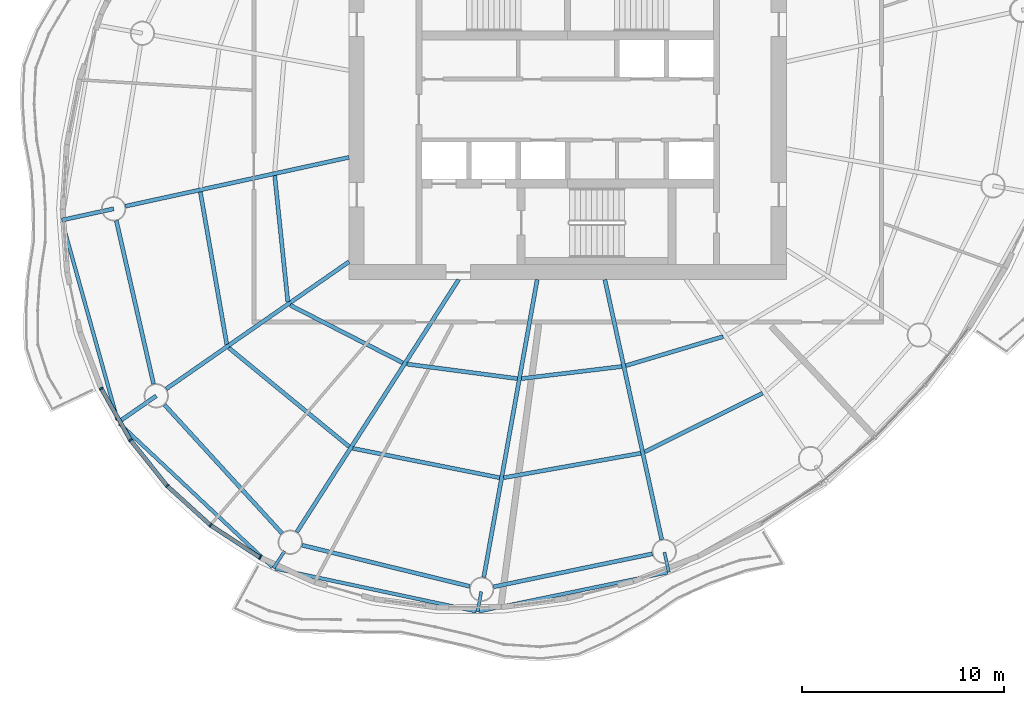
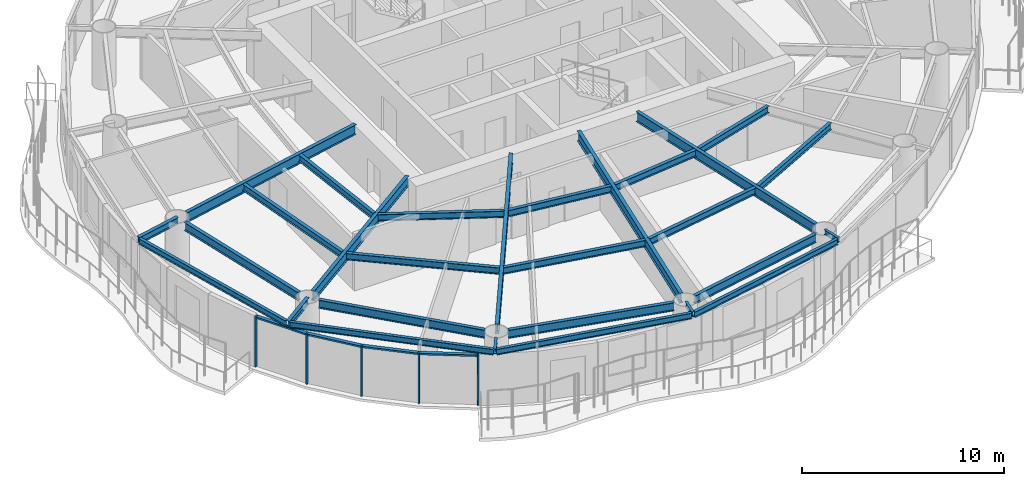
# One storey, part 2 of 14: 28 beams, 9 members, 4 elements without a shape of their own.
"""IFC4 building model written with IfcOpenShell, lengths in metres."""

import ifcopenshell
import ifcopenshell.guid

model = None  # the IFC model being written
_history = None  # IfcOwnerHistory: only IFC2X3 demands one
_inside = {}  # id of a spatial element -> (the spatial element, [elements in it])
_under = {}  # id of a project, library or spatial element -> (it, [spatial elements below it])
_declared = {}  # id of a project -> (the project, [libraries it declares])
_typed = {}  # id of a type object -> (the type object, [elements of that type])
_made_of = {}  # id of a material, layer set ... -> (it, [elements and type objects made of it])


def new_model(schema):
    """Start an empty IFC model of exactly this schema.

    Asked for "IFC4X3", IfcOpenShell would pick the latest addendum, in which some entities
    have other attributes; the version numbers below select the first issue.
    IFC2X3 requires an IfcOwnerHistory on every rooted entity: one is made here for all.
    """
    global model, _history
    if schema == "IFC4X3":
        model = ifcopenshell.file(schema_version=(4, 3, 0, 0))
    else:
        model = ifcopenshell.file(schema=schema)
    _inside.clear()
    _under.clear()
    _declared.clear()
    _typed.clear()
    _made_of.clear()
    _history = None
    if model.schema == "IFC2X3":
        org = make("IfcOrganization", Name="unknown")
        user = make(
            "IfcPersonAndOrganization",
            ThePerson=make("IfcPerson", FamilyName="unknown"),
            TheOrganization=org,
        )
        app = make(
            "IfcApplication",
            ApplicationDeveloper=org,
            Version="unknown",
            ApplicationFullName="unknown",
            ApplicationIdentifier="unknown",
        )
        _history = make(
            "IfcOwnerHistory",
            OwningUser=user,
            OwningApplication=app,
            ChangeAction="ADDED",
            CreationDate=0,
        )
    return model


def make(cls, **values):
    """One entity of the class cls with the attributes given. An attribute that is None is left unset."""
    return model.create_entity(
        cls, **{name: value for name, value in values.items() if value is not None}
    )


def rooted(cls, **values):
    """An entity with a GlobalId (a new one), such as an element, a storey or a relation."""
    return make(cls, GlobalId=ifcopenshell.guid.new(), OwnerHistory=_history, **values)


def si_unit(unit_type, name, prefix=None):
    """IfcSIUnit, for example si_unit("LENGTHUNIT", "METRE", prefix="MILLI")."""
    return make("IfcSIUnit", UnitType=unit_type, Prefix=prefix, Name=name)


def assignment(units):
    """IfcUnitAssignment: the units of a project."""
    return None if units is None else make("IfcUnitAssignment", Units=units)


def point(xyz):
    """IfcCartesianPoint."""
    return None if xyz is None else make("IfcCartesianPoint", Coordinates=xyz)


def direction(xyz):
    """IfcDirection."""
    return None if xyz is None else make("IfcDirection", DirectionRatios=xyz)


def frame(location, z_axis=None, x_axis=None):
    """IfcAxis2Placement3D, a coordinate frame: its origin and axes. An axis left out is left unset."""
    return make(
        "IfcAxis2Placement3D",
        Location=point(location),
        Axis=direction(z_axis),
        RefDirection=direction(x_axis),
    )


def frame_2d(location, x_axis=None):
    """IfcAxis2Placement2D, a coordinate frame in the plane: its origin and x axis."""
    return make(
        "IfcAxis2Placement2D", Location=point(location), RefDirection=direction(x_axis)
    )


def origin():
    """The frame at (0, 0, 0) with its axes left unset."""
    return frame((0.0, 0.0, 0.0))


def origin_2d():
    """The frame at (0, 0) in the plane with its x axis left unset."""
    return frame_2d((0.0, 0.0))


def place(relative_to, where):
    """IfcLocalPlacement: puts the frame where relative to a parent placement (None: the world)."""
    return make(
        "IfcLocalPlacement", PlacementRelTo=relative_to, RelativePlacement=where
    )


def context(
    kind, dimensions, precision=None, world=None, true_north=None, identifier=None
):
    """IfcGeometricRepresentationContext, for example the 3D "Model" context."""
    return make(
        "IfcGeometricRepresentationContext",
        ContextIdentifier=identifier,
        ContextType=kind,
        CoordinateSpaceDimension=dimensions,
        Precision=precision,
        WorldCoordinateSystem=world,
        TrueNorth=true_north,
    )


def subcontext(parent, identifier, kind, view, scale=None):
    """IfcGeometricRepresentationSubContext, for example "Body" below "Model"."""
    return make(
        "IfcGeometricRepresentationSubContext",
        ContextIdentifier=identifier,
        ContextType=kind,
        ParentContext=parent,
        TargetScale=scale,
        TargetView=view,
    )


def project(units=None, contexts=None):
    """IfcProject with its units and contexts."""
    return rooted(
        "IfcProject",
        Name="project",
        RepresentationContexts=contexts,
        UnitsInContext=assignment(units),
    )


def spatial(cls, under=None, at=None, **own):
    """A site, building, storey or space (cls), placed at a placement, below another one or the project."""
    s = rooted(cls, ObjectPlacement=at, **own)
    if under is not None:
        _under.setdefault(under.id(), (under, []))[1].append(s)
    return s


def profile(cls, at=None, kind="AREA", **sizes):
    """A parametric profile (cls). Its sizes go by their IFC names, for example OverallWidth=200.0."""
    return make(cls, ProfileType=kind, Position=at, **sizes)


def rectangle(**sizes):
    """IfcRectangleProfileDef."""
    return profile("IfcRectangleProfileDef", **sizes)


def i_section(**sizes):
    """IfcIShapeProfileDef."""
    return profile("IfcIShapeProfileDef", **sizes)


def extrude(swept, where, along, depth):
    """IfcExtrudedAreaSolid: the profile swept, set in the frame where, extruded along a direction by depth."""
    return make(
        "IfcExtrudedAreaSolid",
        SweptArea=swept,
        Position=where,
        ExtrudedDirection=direction(along),
        Depth=depth,
    )


def shape(context_of_items, identifier, shape_type, items):
    """IfcShapeRepresentation: the items that make up one representation, for example the "Body"."""
    return make(
        "IfcShapeRepresentation",
        ContextOfItems=context_of_items,
        RepresentationIdentifier=identifier,
        RepresentationType=shape_type,
        Items=items,
    )


def material(Name=None, Category=None):
    """IfcMaterial."""
    return make("IfcMaterial", Name=Name, Category=Category)


def material_profile(
    of_material, cross_section, Name=None, Category=None, Priority=None
):
    """IfcMaterialProfile: a cross section and its material."""
    return make(
        "IfcMaterialProfile",
        Name=Name,
        Material=of_material,
        Profile=cross_section,
        Priority=Priority,
        Category=Category,
    )


def profile_set(profiles, Name=None, composite=None):
    """IfcMaterialProfileSet."""
    return make(
        "IfcMaterialProfileSet",
        Name=Name,
        MaterialProfiles=profiles,
        CompositeProfile=composite,
    )


def made_of(thing, what):
    """Note that an element or type object is made of a material, layer set ...; save() writes the relation."""
    if what is not None:
        _made_of.setdefault(what.id(), (what, []))[1].append(thing)
    return thing


def type_object(cls, material=None, **own):
    """A type object (cls), such as IfcWallType, which elements share."""
    return made_of(rooted(cls, **own), material)


def element(
    cls,
    number,
    at=None,
    inside=None,
    cuts=None,
    type_object=None,
    material=None,
    context=None,
    identifier="Body",
    shape_type=None,
    held_by="IfcProductDefinitionShape",
    body=None,
    shapes=None,
    **own,
):
    """One element of the class cls, such as IfcWall. Its Tag is "e" and its number.

    at: its placement. inside: the storey or other place that contains it. cuts: it is an
    opening in that element (IfcRelVoidsElement). A single representation is given by context,
    identifier, shape_type and body (its items); several are given by shapes. held_by: the class
    of the entity that holds the representations. save() writes the other relations.
    """
    e = rooted(cls, Tag="e%d" % number, ObjectPlacement=at, **own)
    if body is not None:
        shapes = [shape(context, identifier, shape_type, body)]
    if shapes is not None:
        e.Representation = make(held_by, Representations=shapes)
    if inside is not None:
        _inside.setdefault(inside.id(), (inside, []))[1].append(e)
    if cuts is not None:
        rooted(
            "IfcRelVoidsElement", RelatingBuildingElement=cuts, RelatedOpeningElement=e
        )
    if type_object is not None:
        _typed.setdefault(type_object.id(), (type_object, []))[1].append(e)
    return made_of(e, material)


def aggregate(whole, parts):
    """IfcRelAggregates: a whole, such as a stair, and the parts it consists of."""
    return rooted("IfcRelAggregates", RelatingObject=whole, RelatedObjects=parts)


def save(model, path):
    """Write the relations noted so far, then the file.

    IfcRelAggregates (storeys below a building ...), IfcRelContainedInSpatialStructure (elements
    in a storey), IfcRelDefinesByType, IfcRelAssociatesMaterial and IfcRelDeclares: one each for
    every whole, place, type object, material and project.
    """
    for whole, parts in _under.values():
        aggregate(whole, parts)
    for where, things in _inside.values():
        rooted(
            "IfcRelContainedInSpatialStructure",
            RelatedElements=things,
            RelatingStructure=where,
        )
    for kind, things in _typed.values():
        rooted("IfcRelDefinesByType", RelatedObjects=things, RelatingType=kind)
    for what, things in _made_of.values():
        rooted("IfcRelAssociatesMaterial", RelatedObjects=things, RelatingMaterial=what)
    for by, libraries in _declared.values():
        rooted("IfcRelDeclares", RelatingContext=by, RelatedDefinitions=libraries)
    model.write(path)


model = new_model("IFC4")

# Units and contexts
model_context = context("Model", 3, precision=1e-05, world=origin(), true_north=direction((0.0, 1.0)))
body_context = subcontext(model_context, "Body", "Model", "MODEL_VIEW")
ifc_project = project(units=[si_unit("LENGTHUNIT", "METRE"), si_unit("AREAUNIT", "SQUARE_METRE"), si_unit("VOLUMEUNIT", "CUBIC_METRE"), si_unit("PLANEANGLEUNIT", "RADIAN"), si_unit("MASSUNIT", "GRAM", prefix="KILO")], contexts=[model_context])

# Site, building, storey
site_placement = place(None, origin())
site = spatial("IfcSite", under=ifc_project, at=site_placement, CompositionType="ELEMENT")
building_placement = place(site_placement, origin())
building = spatial("IfcBuilding", under=site, at=building_placement, Name="Vermilion Reach Broadcast Tower", CompositionType="ELEMENT")
storey_placement = place(building_placement, frame((0.0, 0.0, 206.5)))
storey = spatial("IfcBuildingStorey", under=building, at=storey_placement, Name="L50", CompositionType="ELEMENT", Elevation=206.5)

# Beams
ifc_material_1 = material(Name="Steel S355J2", Category="steel")
ifc_material_profile_1 = material_profile(ifc_material_1, i_section(OverallWidth=0.175048828125, OverallDepth=0.35009765625, WebThickness=0.007080078125, FlangeThickness=0.010986328125, at=origin_2d()), Name="S355J2 HN 350x175x7x11")
ifc_profile_set_1 = profile_set([ifc_material_profile_1], Name="Steel S355J2")
beam_type_1 = type_object("IfcBeamType", Name="EB4 HN 350x175x7x11", PredefinedType="BEAM", material=ifc_profile_set_1)
beam_1_placement = place(storey_placement, frame((-30.956298828125, -5.557373046875, 3.27490234375), z_axis=(0.268660015455, -0.963235067933, 0.0), x_axis=(0.963235067933, 0.268660015455, 0.0)))
element("IfcBeam", 1, at=beam_1_placement, inside=storey, type_object=beam_type_1, Name="Edge beam EB4-07", PredefinedType="BEAM", context=body_context, shape_type="SweptSolid", body=[
    extrude(i_section(OverallWidth=0.175048828125, OverallDepth=0.35009765625, WebThickness=0.007080078125, FlangeThickness=0.010986328125, at=origin_2d()), origin(), (0.0, 0.0, 1.0), 10.15966796875),
])
beam_2_placement = place(storey_placement, frame((-28.123779296875, -15.515380859375, 3.27490234375), z_axis=(0.728971149801, -0.684544419857, 0.0), x_axis=(0.684544419857, 0.728971149801, 0.0)))
element("IfcBeam", 2, at=beam_2_placement, inside=storey, type_object=beam_type_1, Name="Edge beam EB4-08", PredefinedType="BEAM", context=body_context, shape_type="SweptSolid", body=[
    extrude(i_section(OverallWidth=0.175048828125, OverallDepth=0.35009765625, WebThickness=0.007080078125, FlangeThickness=0.010986328125, at=origin_2d()), origin(), (0.0, 0.0, 1.0), 10.34765625),
])
beam_3_placement = place(storey_placement, frame((-20.446533203125, -22.667724609375, 3.27490234375), z_axis=(0.978079350634, -0.208232523547, 0.0), x_axis=(0.208232523547, 0.978079350634, 0.0)))
element("IfcBeam", 3, at=beam_3_placement, inside=storey, type_object=beam_type_1, Name="Edge beam EB4-09", PredefinedType="BEAM", context=body_context, shape_type="SweptSolid", body=[
    extrude(i_section(OverallWidth=0.175048828125, OverallDepth=0.35009765625, WebThickness=0.007080078125, FlangeThickness=0.010986328125, at=origin_2d()), origin(), (0.0, 0.0, 1.0), 10.1474609375),
])
beam_4_placement = place(storey_placement, frame((-10.369140625, -24.780029296875, 3.27490234375), z_axis=(0.979291047752, 0.202457511081, 0.0), x_axis=(-0.202457511081, 0.979291047752, 0.0)))
element("IfcBeam", 4, at=beam_4_placement, inside=storey, type_object=beam_type_1, Name="Edge beam EB4-10", PredefinedType="BEAM", context=body_context, shape_type="SweptSolid", body=[
    extrude(i_section(OverallWidth=0.175048828125, OverallDepth=0.35009765625, WebThickness=0.007080078125, FlangeThickness=0.010986328125, at=origin_2d()), origin(), (0.0, 0.0, 1.0), 9.485595703125),
])
ifc_material_2 = material(Name="Steel S355J2", Category="steel")
ifc_material_profile_2 = material_profile(ifc_material_2, i_section(OverallWidth=0.199951171875, OverallDepth=0.60009765625, WebThickness=0.010986328125, FlangeThickness=0.01708984375, at=origin_2d()), Name="S355J2 HN 600x200x11x17")
ifc_profile_set_2 = profile_set([ifc_material_profile_2], Name="Steel S355J2")
beam_type_2 = type_object("IfcBeamType", Name="G4 HN 600x200x11x17", PredefinedType="BEAM", material=ifc_profile_set_2)
beam_5_placement = place(storey_placement, frame((-16.800048828125, -2.360595703125, 3.14990234375), z_axis=(-0.976930175286, -0.213558967537, 0.0), x_axis=(0.213558967537, -0.976930175286, 0.0)))
element("IfcBeam", 5, at=beam_5_placement, inside=storey, type_object=beam_type_2, Name="Girder G4-07", PredefinedType="BEAM", context=body_context, shape_type="SweptSolid", body=[
    extrude(i_section(OverallWidth=0.199951171875, OverallDepth=0.60009765625, WebThickness=0.010986328125, FlangeThickness=0.01708984375, at=origin_2d()), origin(), (0.0, 0.0, 1.0), 11.29833984375),
])
beam_6_placement = place(storey_placement, frame((-16.800048828125, -7.5146484375, 3.14990234375), z_axis=(-0.820848627818, -0.571145804684, 0.0), x_axis=(0.571145804684, -0.820848627818, 0.0)))
element("IfcBeam", 6, at=beam_6_placement, inside=storey, type_object=beam_type_2, Name="Girder G4-08", PredefinedType="BEAM", context=body_context, shape_type="SweptSolid", body=[
    extrude(i_section(OverallWidth=0.199951171875, OverallDepth=0.60009765625, WebThickness=0.010986328125, FlangeThickness=0.01708984375, at=origin_2d()), origin(), (0.0, 0.0, 1.0), 10.99560546875),
])
beam_7_placement = place(storey_placement, frame((-11.386474609375, -8.39990234375, 3.14990234375), z_axis=(-0.539796447586, -0.84179557802, 0.0), x_axis=(0.84179557802, -0.539796447586, 0.0)))
element("IfcBeam", 7, at=beam_7_placement, inside=storey, type_object=beam_type_2, Name="Girder G4-09", PredefinedType="BEAM", context=body_context, shape_type="SweptSolid", body=[
    extrude(i_section(OverallWidth=0.199951171875, OverallDepth=0.60009765625, WebThickness=0.010986328125, FlangeThickness=0.01708984375, at=origin_2d()), origin(), (0.0, 0.0, 1.0), 14.8076171875),
])
beam_8_placement = place(storey_placement, frame((-7.5068359375, -8.39990234375, 3.14990234375), z_axis=(-0.176574729047, -0.984287237072, 0.0), x_axis=(0.984287237072, -0.176574729047, 0.0)))
element("IfcBeam", 8, at=beam_8_placement, inside=storey, type_object=beam_type_2, Name="Girder G4-10", PredefinedType="BEAM", context=body_context, shape_type="SweptSolid", body=[
    extrude(i_section(OverallWidth=0.199951171875, OverallDepth=0.60009765625, WebThickness=0.010986328125, FlangeThickness=0.01708984375, at=origin_2d()), origin(), (0.0, 0.0, 1.0), 14.935302734375),
])
beam_9_placement = place(storey_placement, frame((-4.163818359375, -8.39990234375, 3.14990234375), z_axis=(0.213538346548, -0.976934682849, 0.0), x_axis=(0.976934682849, 0.213538346548, 0.0)))
element("IfcBeam", 9, at=beam_9_placement, inside=storey, type_object=beam_type_2, Name="Girder G4-11", PredefinedType="BEAM", context=body_context, shape_type="SweptSolid", body=[
    extrude(i_section(OverallWidth=0.199951171875, OverallDepth=0.60009765625, WebThickness=0.010986328125, FlangeThickness=0.01708984375, at=origin_2d()), origin(), (0.0, 0.0, 1.0), 13.135498046875),
])
ifc_material_3 = material(Name="Steel S355J2", Category="steel")
ifc_material_profile_3 = material_profile(ifc_material_3, i_section(OverallWidth=0.199951171875, OverallDepth=0.39990234375, WebThickness=0.008056640625, FlangeThickness=0.012939453125, at=origin_2d()), Name="S355J2 HN 400x200x8x13")
ifc_profile_set_3 = profile_set([ifc_material_profile_3], Name="Steel S355J2")
beam_type_3 = type_object("IfcBeamType", Name="GC4 HN 400x200x8x13", PredefinedType="BEAM", material=ifc_profile_set_3)
beam_10_placement = place(storey_placement, frame((-28.423828125, -4.9013671875, 3.25), z_axis=(-0.976926757416, -0.21357460206, 0.0), x_axis=(0.21357460206, -0.976926757416, 0.0)))
element("IfcBeam", 10, at=beam_10_placement, inside=storey, type_object=beam_type_3, Name="Cantilever girder GC4-07", PredefinedType="BEAM", context=body_context, shape_type="SweptSolid", body=[
    extrude(i_section(OverallWidth=0.199951171875, OverallDepth=0.39990234375, WebThickness=0.008056640625, FlangeThickness=0.012939453125, at=origin_2d()), origin(), (0.0, 0.0, 1.0), 2.6201171875),
])
beam_11_placement = place(storey_placement, frame((-26.318115234375, -14.13720703125, 3.25), z_axis=(-0.820816121496, -0.571192519815, 0.0), x_axis=(0.571192519815, -0.820816121496, 0.0)))
element("IfcBeam", 11, at=beam_11_placement, inside=storey, type_object=beam_type_3, Name="Cantilever girder GC4-08", PredefinedType="BEAM", context=body_context, shape_type="SweptSolid", body=[
    extrude(i_section(OverallWidth=0.199951171875, OverallDepth=0.39990234375, WebThickness=0.008056640625, FlangeThickness=0.012939453125, at=origin_2d()), origin(), (0.0, 0.0, 1.0), 2.29052734375),
])
ifc_material_4 = material(Name="Steel S355J2", Category="steel")
ifc_material_profile_4 = material_profile(ifc_material_4, i_section(OverallWidth=0.14990234375, OverallDepth=0.300048828125, WebThickness=0.006591796875, FlangeThickness=0.009033203125, at=origin_2d()), Name="S355J2 HN 300x150x6.5x9")
ifc_profile_set_4 = profile_set([ifc_material_profile_4], Name="Steel S355J2")
beam_type_4 = type_object("IfcBeamType", Name="GS4 HN 300x150x6.5x9", PredefinedType="BEAM", material=ifc_profile_set_4)
beam_12_placement = place(storey_placement, frame((-19.985107421875, -21.80908203125, 3.300048828125), z_axis=(-0.539794777091, -0.841796649213, 0.0), x_axis=(0.841796649213, -0.539794777091, 0.0)))
element("IfcBeam", 12, at=beam_12_placement, inside=storey, type_object=beam_type_4, Name="Cantilever stub GS4-09", PredefinedType="BEAM", context=body_context, shape_type="SweptSolid", body=[
    extrude(i_section(OverallWidth=0.14990234375, OverallDepth=0.300048828125, WebThickness=0.006591796875, FlangeThickness=0.009033203125, at=origin_2d()), origin(), (0.0, 0.0, 1.0), 1.0),
])
beam_13_placement = place(storey_placement, frame((-10.271728515625, -23.812255859375, 3.300048828125), z_axis=(-0.176542748677, -0.984292973606, 0.0), x_axis=(0.984292973606, -0.176542748677, 0.0)))
element("IfcBeam", 13, at=beam_13_placement, inside=storey, type_object=beam_type_4, Name="Cantilever stub GS4-10", PredefinedType="BEAM", context=body_context, shape_type="SweptSolid", body=[
    extrude(i_section(OverallWidth=0.14990234375, OverallDepth=0.300048828125, WebThickness=0.006591796875, FlangeThickness=0.009033203125, at=origin_2d()), origin(), (0.0, 0.0, 1.0), 0.999755859375),
])
beam_14_placement = place(storey_placement, frame((-1.22021484375, -21.867431640625, 3.300048828125), z_axis=(0.213594957215, -0.976922307173, 0.0), x_axis=(0.976922307173, 0.213594957215, 0.0)))
element("IfcBeam", 14, at=beam_14_placement, inside=storey, type_object=beam_type_4, Name="Cantilever stub GS4-11", PredefinedType="BEAM", context=body_context, shape_type="SweptSolid", body=[
    extrude(i_section(OverallWidth=0.14990234375, OverallDepth=0.300048828125, WebThickness=0.006591796875, FlangeThickness=0.009033203125, at=origin_2d()), origin(), (0.0, 0.0, 1.0), 1.000244140625),
])
ifc_material_5 = material(Name="Steel S355J2", Category="steel")
ifc_material_profile_5 = material_profile(ifc_material_5, i_section(OverallWidth=0.199951171875, OverallDepth=0.5, WebThickness=0.010009765625, FlangeThickness=0.01611328125, at=origin_2d()), Name="S355J2 HN 500x200x10x16")
ifc_profile_set_5 = profile_set([ifc_material_profile_5], Name="Steel S355J2")
beam_type_5 = type_object("IfcBeamType", Name="RB4 HN 500x200x10x16", PredefinedType="BEAM", material=ifc_profile_set_5)
beam_15_placement = place(storey_placement, frame((-28.290283203125, -5.486572265625, 3.199951171875), z_axis=(0.222283068275, -0.974982172944, 0.0), x_axis=(0.974982172944, 0.222283068275, 0.0)))
element("IfcBeam", 15, at=beam_15_placement, inside=storey, type_object=beam_type_5, Name="Ring beam RB4-07", PredefinedType="BEAM", context=body_context, shape_type="SweptSolid", body=[
    extrude(i_section(OverallWidth=0.199951171875, OverallDepth=0.5, WebThickness=0.010009765625, FlangeThickness=0.01611328125, at=origin_2d()), origin(), (0.0, 0.0, 1.0), 8.272705078125),
])
beam_16_placement = place(storey_placement, frame((-25.9130859375, -14.580078125, 3.199951171875), z_axis=(0.674868141417, -0.737938338684, 0.0), x_axis=(0.737938338684, 0.674868141417, 0.0)))
element("IfcBeam", 16, at=beam_16_placement, inside=storey, type_object=beam_type_5, Name="Ring beam RB4-08", PredefinedType="BEAM", context=body_context, shape_type="SweptSolid", body=[
    extrude(i_section(OverallWidth=0.199951171875, OverallDepth=0.5, WebThickness=0.010009765625, FlangeThickness=0.01611328125, at=origin_2d()), origin(), (0.0, 0.0, 1.0), 8.601318359375),
])
beam_17_placement = place(storey_placement, frame((-19.120849609375, -21.51318359375, 3.199951171875), z_axis=(0.971158622271, -0.238434331398, 0.0), x_axis=(0.238434331398, 0.971158622271, 0.0)))
element("IfcBeam", 17, at=beam_17_placement, inside=storey, type_object=beam_type_5, Name="Ring beam RB4-09", PredefinedType="BEAM", context=body_context, shape_type="SweptSolid", body=[
    extrude(i_section(OverallWidth=0.199951171875, OverallDepth=0.5, WebThickness=0.010009765625, FlangeThickness=0.01611328125, at=origin_2d()), origin(), (0.0, 0.0, 1.0), 8.534423828125),
])
beam_18_placement = place(storey_placement, frame((-9.662353515625, -23.569091796875, 3.199951171875), z_axis=(0.97912342484, 0.203266620302, 0.0), x_axis=(-0.203266620302, 0.97912342484, 0.0)))
element("IfcBeam", 18, at=beam_18_placement, inside=storey, type_object=beam_type_5, Name="Ring beam RB4-10", PredefinedType="BEAM", context=body_context, shape_type="SweptSolid", body=[
    extrude(i_section(OverallWidth=0.199951171875, OverallDepth=0.5, WebThickness=0.010009765625, FlangeThickness=0.01611328125, at=origin_2d()), origin(), (0.0, 0.0, 1.0), 8.01123046875),
])
ifc_material_6 = material(Name="Steel S355J2", Category="steel")
ifc_material_profile_6 = material_profile(ifc_material_6, i_section(OverallWidth=0.199951171875, OverallDepth=0.39990234375, WebThickness=0.008056640625, FlangeThickness=0.012939453125, at=origin_2d()), Name="S355J2 HN 400x200x8x13")
ifc_profile_set_6 = profile_set([ifc_material_profile_6], Name="Steel S355J2")
beam_type_6 = type_object("IfcBeamType", Name="SB4 HN 400x200x8x13", PredefinedType="BEAM", material=ifc_profile_set_6)
beam_19_placement = place(storey_placement, frame((-20.46875, -3.264892578125, 3.25), z_axis=(0.103532173355, -0.994626105167, 0.0), x_axis=(0.994626105167, 0.103532173355, 0.0)))
element("IfcBeam", 19, at=beam_19_placement, inside=storey, type_object=beam_type_6, Name="Secondary beam SB4-07-1", PredefinedType="BEAM", context=body_context, shape_type="SweptSolid", body=[
    extrude(i_section(OverallWidth=0.199951171875, OverallDepth=0.39990234375, WebThickness=0.008056640625, FlangeThickness=0.012939453125, at=origin_2d()), origin(), (0.0, 0.0, 1.0), 6.26318359375),
])
beam_20_placement = place(storey_placement, frame((-24.141357421875, -4.067626953125, 3.25), z_axis=(0.170926997669, -0.985283695931, 0.0), x_axis=(0.985283695931, 0.170926997669, 0.0)))
element("IfcBeam", 20, at=beam_20_placement, inside=storey, type_object=beam_type_6, Name="Secondary beam SB4-07-2", PredefinedType="BEAM", context=body_context, shape_type="SweptSolid", body=[
    extrude(i_section(OverallWidth=0.199951171875, OverallDepth=0.39990234375, WebThickness=0.008056640625, FlangeThickness=0.012939453125, at=origin_2d()), origin(), (0.0, 0.0, 1.0), 7.63720703125),
])
beam_21_placement = place(storey_placement, frame((-19.707763671875, -9.659423828125, 3.25), z_axis=(0.89015575218, -0.455656380249, 0.0), x_axis=(0.455656380249, 0.89015575218, 0.0)))
element("IfcBeam", 21, at=beam_21_placement, inside=storey, type_object=beam_type_6, Name="Secondary beam SB4-08-1", PredefinedType="BEAM", context=body_context, shape_type="SweptSolid", body=[
    extrude(i_section(OverallWidth=0.199951171875, OverallDepth=0.39990234375, WebThickness=0.008056640625, FlangeThickness=0.012939453125, at=origin_2d()), origin(), (0.0, 0.0, 1.0), 6.25439453125),
])
beam_22_placement = place(storey_placement, frame((-22.73681640625, -11.76708984375, 3.25), z_axis=(0.772952000494, -0.6344645025, 0.0), x_axis=(0.6344645025, 0.772952000494, 0.0)))
element("IfcBeam", 22, at=beam_22_placement, inside=storey, type_object=beam_type_6, Name="Secondary beam SB4-08-2", PredefinedType="BEAM", context=body_context, shape_type="SweptSolid", body=[
    extrude(i_section(OverallWidth=0.199951171875, OverallDepth=0.39990234375, WebThickness=0.008056640625, FlangeThickness=0.012939453125, at=origin_2d()), origin(), (0.0, 0.0, 1.0), 7.689697265625),
])
beam_23_placement = place(storey_placement, frame((-13.94140625, -12.5693359375, 3.25), z_axis=(0.991458070019, -0.130425823341, 0.0), x_axis=(0.130425823341, 0.991458070019, 0.0)))
element("IfcBeam", 23, at=beam_23_placement, inside=storey, type_object=beam_type_6, Name="Secondary beam SB4-09-1", PredefinedType="BEAM", context=body_context, shape_type="SweptSolid", body=[
    extrude(i_section(OverallWidth=0.199951171875, OverallDepth=0.39990234375, WebThickness=0.008056640625, FlangeThickness=0.012939453125, at=origin_2d()), origin(), (0.0, 0.0, 1.0), 5.50341796875),
])
beam_24_placement = place(storey_placement, frame((-16.60986328125, -16.73095703125, 3.25), z_axis=(0.9805717807, -0.196160604851, 0.0), x_axis=(0.196160604851, 0.9805717807, 0.0)))
element("IfcBeam", 24, at=beam_24_placement, inside=storey, type_object=beam_type_6, Name="Secondary beam SB4-09-2", PredefinedType="BEAM", context=body_context, shape_type="SweptSolid", body=[
    extrude(i_section(OverallWidth=0.199951171875, OverallDepth=0.39990234375, WebThickness=0.008056640625, FlangeThickness=0.012939453125, at=origin_2d()), origin(), (0.0, 0.0, 1.0), 7.390380859375),
])
beam_25_placement = place(storey_placement, frame((-8.281982421875, -13.28759765625, 3.25), z_axis=(0.99278788328, 0.119884189168, 0.0), x_axis=(-0.119884189168, 0.99278788328, 0.0)))
element("IfcBeam", 25, at=beam_25_placement, inside=storey, type_object=beam_type_6, Name="Secondary beam SB4-10-1", PredefinedType="BEAM", context=body_context, shape_type="SweptSolid", body=[
    extrude(i_section(OverallWidth=0.199951171875, OverallDepth=0.39990234375, WebThickness=0.008056640625, FlangeThickness=0.012939453125, at=origin_2d()), origin(), (0.0, 0.0, 1.0), 4.9892578125),
])
beam_26_placement = place(storey_placement, frame((-9.159912109375, -18.181640625, 3.25), z_axis=(0.984415281892, 0.175859468829, 0.0), x_axis=(-0.175859468829, 0.984415281892, 0.0)))
element("IfcBeam", 26, at=beam_26_placement, inside=storey, type_object=beam_type_6, Name="Secondary beam SB4-10-2", PredefinedType="BEAM", context=body_context, shape_type="SweptSolid", body=[
    extrude(i_section(OverallWidth=0.199951171875, OverallDepth=0.39990234375, WebThickness=0.008056640625, FlangeThickness=0.012939453125, at=origin_2d()), origin(), (0.0, 0.0, 1.0), 6.874755859375),
])
beam_27_placement = place(storey_placement, frame((-3.1328125, -12.64892578125, 3.25), z_axis=(0.958173460215, 0.28618808525, 0.0), x_axis=(-0.28618808525, 0.958173460215, 0.0)))
element("IfcBeam", 27, at=beam_27_placement, inside=storey, type_object=beam_type_6, Name="Secondary beam SB4-11-1", PredefinedType="BEAM", context=body_context, shape_type="SweptSolid", body=[
    extrude(i_section(OverallWidth=0.199951171875, OverallDepth=0.39990234375, WebThickness=0.008056640625, FlangeThickness=0.012939453125, at=origin_2d()), origin(), (0.0, 0.0, 1.0), 5.02197265625),
])
beam_28_placement = place(storey_placement, frame((-2.20166015625, -16.908935546875, 3.25), z_axis=(0.895183615542, 0.445697536974, 0.0), x_axis=(-0.445697536974, 0.895183615542, 0.0)))
element("IfcBeam", 28, at=beam_28_placement, inside=storey, type_object=beam_type_6, Name="Secondary beam SB4-11-2", PredefinedType="BEAM", context=body_context, shape_type="SweptSolid", body=[
    extrude(i_section(OverallWidth=0.199951171875, OverallDepth=0.39990234375, WebThickness=0.008056640625, FlangeThickness=0.012939453125, at=origin_2d()), origin(), (0.0, 0.0, 1.0), 6.508544921875),
])

# Curtain wall, member
ifc_material_7 = material(Name="Low-e laminated clear glass in aluminium frame", Category="aluminium")
curtain_wall_type = type_object("IfcCurtainWallType", Name="Slot curtain wall", PredefinedType="NOTDEFINED", material=ifc_material_7)
placement = place(storey_placement, origin())
curtain_wall_1 = element("IfcCurtainWall", 29, at=placement, inside=storey, type_object=curtain_wall_type, Name="Slot curtain wall L50 22", PredefinedType="NOTDEFINED")
ifc_material_8 = material(Name="Anodised aluminium", Category="aluminium")
ifc_material_profile_7 = material_profile(ifc_material_8, rectangle(XDim=0.199951171875, YDim=0.080078125, at=origin_2d()), Name="Slot mullion 80 x 200")
ifc_profile_set_7 = profile_set([ifc_material_profile_7], Name="Anodised aluminium")
member_type_1 = type_object("IfcMemberType", Name="Slot mullion 80 x 200", PredefinedType="MULLION", material=ifc_profile_set_7)
member_1_placement = place(storey_placement, frame((-29.034423828125, -13.77490234375, 0.0), z_axis=(0.0, 0.0, 1.0), x_axis=(0.905372114289, 0.424619046521, 0.0)))
member_1 = element("IfcMember", 30, at=member_1_placement, type_object=member_type_1, Name="Slot mullion L50 22", PredefinedType="MULLION", context=body_context, shape_type="SweptSolid", body=[
    extrude(rectangle(XDim=0.199951171875, YDim=0.080078125, at=origin_2d()), origin(), (0.0, 0.0, 1.0), 3.050048828125),
])

curtain_wall_2 = element("IfcCurtainWall", 31, at=placement, inside=storey, type_object=curtain_wall_type, Name="Slot curtain wall L50 23", PredefinedType="NOTDEFINED")
member_2_placement = place(storey_placement, frame((-27.59326171875, -16.31640625, 0.0), z_axis=(0.0, 0.0, 1.0), x_axis=(0.828147275941, 0.56051056132, 0.0)))
member_2 = element("IfcMember", 32, at=member_2_placement, type_object=member_type_1, Name="Slot mullion L50 23", PredefinedType="MULLION", context=body_context, shape_type="SweptSolid", body=[
    extrude(rectangle(XDim=0.199951171875, YDim=0.080078125, at=origin_2d()), origin(), (0.0, 0.0, 1.0), 3.050048828125),
])

curtain_wall_3 = element("IfcCurtainWall", 33, at=placement, inside=storey, type_object=curtain_wall_type, Name="Slot curtain wall L50 24", PredefinedType="NOTDEFINED")
member_3_placement = place(storey_placement, frame((-25.784912109375, -18.579345703125, 0.0), z_axis=(0.0, 0.0, 1.0), x_axis=(0.728968725368, 0.684547001626, 0.0)))
member_3 = element("IfcMember", 34, at=member_3_placement, type_object=member_type_1, Name="Slot mullion L50 24", PredefinedType="MULLION", context=body_context, shape_type="SweptSolid", body=[
    extrude(rectangle(XDim=0.199951171875, YDim=0.080078125, at=origin_2d()), origin(), (0.0, 0.0, 1.0), 3.050048828125),
])

# Curtain wall, members
curtain_wall_4 = element("IfcCurtainWall", 35, at=placement, inside=storey, type_object=curtain_wall_type, Name="Slot curtain wall L50 25", PredefinedType="NOTDEFINED")
member_4_placement = place(storey_placement, frame((-23.64013671875, -20.526123046875, 0.0), z_axis=(0.0, 0.0, 1.0), x_axis=(0.611404273448, 0.791318402673, 0.0)))
member_4 = element("IfcMember", 36, at=member_4_placement, type_object=member_type_1, Name="Slot mullion L50 25", PredefinedType="MULLION", context=body_context, shape_type="SweptSolid", body=[
    extrude(rectangle(XDim=0.199951171875, YDim=0.080078125, at=origin_2d()), origin(), (0.0, 0.0, 1.0), 3.050048828125),
])
member_5_placement = place(storey_placement, frame((-21.194091796875, -22.1240234375, 0.0), z_axis=(0.0, 0.0, 1.0), x_axis=(0.480629836559, 0.876923577177, 0.0)))
member_5 = element("IfcMember", 37, at=member_5_placement, type_object=member_type_1, Name="Slot mullion L50 26", PredefinedType="MULLION", context=body_context, shape_type="SweptSolid", body=[
    extrude(rectangle(XDim=0.199951171875, YDim=0.080078125, at=origin_2d()), origin(), (0.0, 0.0, 1.0), 3.050048828125),
])

# Member
ifc_material_9 = material(Name="Anodised aluminium", Category="aluminium")
ifc_material_profile_8 = material_profile(ifc_material_9, rectangle(XDim=0.199951171875, YDim=0.10009765625, at=origin_2d()), Name="Slot transom 200 x 100")
ifc_profile_set_8 = profile_set([ifc_material_profile_8], Name="Anodised aluminium")
member_type_2 = type_object("IfcMemberType", Name="Slot transom 200 x 100", PredefinedType="USERDEFINED", material=ifc_profile_set_8)
member_6_placement = place(storey_placement, frame((-29.0146484375, -13.8095703125, 3.0), z_axis=(0.493240169434, -0.869893174624, 0.0), x_axis=(0.869893174624, 0.493240169434, 0.0)))
member_6 = element("IfcMember", 38, at=member_6_placement, type_object=member_type_2, Name="Slot transom L50 22.1", ObjectType="TRANSOM", PredefinedType="USERDEFINED", context=body_context, shape_type="SweptSolid", body=[
    extrude(rectangle(XDim=0.199951171875, YDim=0.10009765625, at=origin_2d()), origin(), (0.0, 0.0, 1.0), 2.841552734375),
])

aggregate(curtain_wall_1, [member_1, member_6])

member_7_placement = place(storey_placement, frame((-27.568359375, -16.34765625, 3.0), z_axis=(0.624250988924, -0.781223849372, 0.0), x_axis=(0.781223849372, 0.624250988924, 0.0)))
member_7 = element("IfcMember", 39, at=member_7_placement, type_object=member_type_2, Name="Slot transom L50 23.1", ObjectType="TRANSOM", PredefinedType="USERDEFINED", context=body_context, shape_type="SweptSolid", body=[
    extrude(rectangle(XDim=0.199951171875, YDim=0.10009765625, at=origin_2d()), origin(), (0.0, 0.0, 1.0), 2.816650390625),
])

aggregate(curtain_wall_2, [member_2, member_7])

member_8_placement = place(storey_placement, frame((-25.75537109375, -18.606201171875, 3.0), z_axis=(0.740473231661, -0.672085852546, 0.0), x_axis=(0.672085852546, 0.740473231661, 0.0)))
member_8 = element("IfcMember", 40, at=member_8_placement, type_object=member_type_2, Name="Slot transom L50 24.1", ObjectType="TRANSOM", PredefinedType="USERDEFINED", context=body_context, shape_type="SweptSolid", body=[
    extrude(rectangle(XDim=0.199951171875, YDim=0.10009765625, at=origin_2d()), origin(), (0.0, 0.0, 1.0), 2.816650390625),
])

aggregate(curtain_wall_3, [member_3, member_8])

member_9_placement = place(storey_placement, frame((-23.6064453125, -20.548095703125, 3.0), z_axis=(0.837208686674, -0.546883547894, 0.0), x_axis=(0.546883547894, 0.837208686674, 0.0)))
member_9 = element("IfcMember", 41, at=member_9_placement, type_object=member_type_2, Name="Slot transom L50 25.1", ObjectType="TRANSOM", PredefinedType="USERDEFINED", context=body_context, shape_type="SweptSolid", body=[
    extrude(rectangle(XDim=0.199951171875, YDim=0.10009765625, at=origin_2d()), origin(), (0.0, 0.0, 1.0), 2.841552734375),
])

aggregate(curtain_wall_4, [member_4, member_5, member_9])

save(model, "model.ifc")
